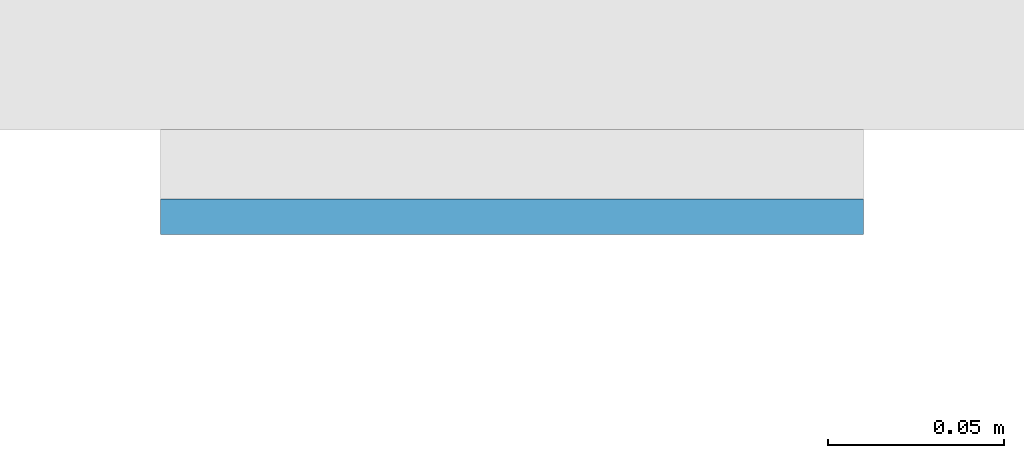
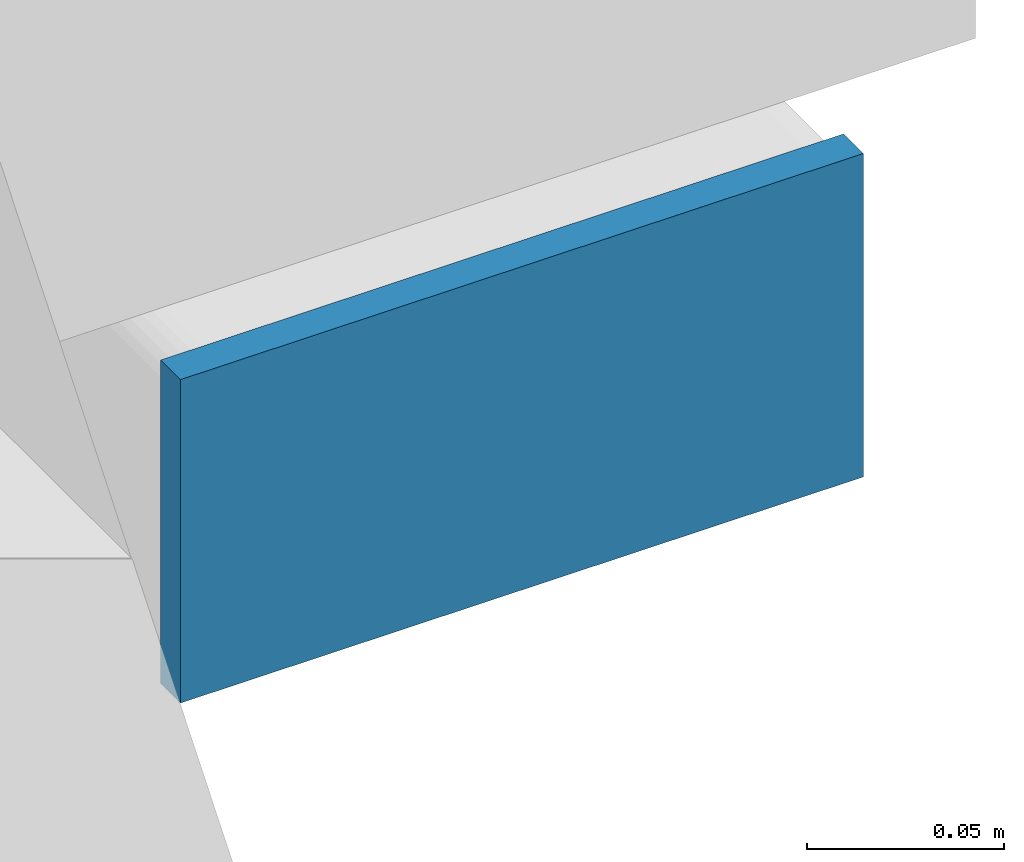
# One storey, part 5 of 12: 1 plate.
"""IFC4 building model written with IfcOpenShell, lengths in metres."""

import ifcopenshell
import ifcopenshell.guid

model = None  # the IFC model being written
_history = None  # IfcOwnerHistory: only IFC2X3 demands one
_inside = {}  # id of a spatial element -> (the spatial element, [elements in it])
_under = {}  # id of a project, library or spatial element -> (it, [spatial elements below it])
_declared = {}  # id of a project -> (the project, [libraries it declares])
_typed = {}  # id of a type object -> (the type object, [elements of that type])
_made_of = {}  # id of a material, layer set ... -> (it, [elements and type objects made of it])


def new_model(schema):
    """Start an empty IFC model of exactly this schema.

    Asked for "IFC4X3", IfcOpenShell would pick the latest addendum, in which some entities
    have other attributes; the version numbers below select the first issue.
    IFC2X3 requires an IfcOwnerHistory on every rooted entity: one is made here for all.
    """
    global model, _history
    if schema == "IFC4X3":
        model = ifcopenshell.file(schema_version=(4, 3, 0, 0))
    else:
        model = ifcopenshell.file(schema=schema)
    _inside.clear()
    _under.clear()
    _declared.clear()
    _typed.clear()
    _made_of.clear()
    _history = None
    if model.schema == "IFC2X3":
        org = make("IfcOrganization", Name="unknown")
        user = make(
            "IfcPersonAndOrganization",
            ThePerson=make("IfcPerson", FamilyName="unknown"),
            TheOrganization=org,
        )
        app = make(
            "IfcApplication",
            ApplicationDeveloper=org,
            Version="unknown",
            ApplicationFullName="unknown",
            ApplicationIdentifier="unknown",
        )
        _history = make(
            "IfcOwnerHistory",
            OwningUser=user,
            OwningApplication=app,
            ChangeAction="ADDED",
            CreationDate=0,
        )
    return model


def make(cls, **values):
    """One entity of the class cls with the attributes given. An attribute that is None is left unset."""
    return model.create_entity(
        cls, **{name: value for name, value in values.items() if value is not None}
    )


def rooted(cls, **values):
    """An entity with a GlobalId (a new one), such as an element, a storey or a relation."""
    return make(cls, GlobalId=ifcopenshell.guid.new(), OwnerHistory=_history, **values)


def si_unit(unit_type, name, prefix=None):
    """IfcSIUnit, for example si_unit("LENGTHUNIT", "METRE", prefix="MILLI")."""
    return make("IfcSIUnit", UnitType=unit_type, Prefix=prefix, Name=name)


def assignment(units):
    """IfcUnitAssignment: the units of a project."""
    return None if units is None else make("IfcUnitAssignment", Units=units)


def point(xyz):
    """IfcCartesianPoint."""
    return None if xyz is None else make("IfcCartesianPoint", Coordinates=xyz)


def direction(xyz):
    """IfcDirection."""
    return None if xyz is None else make("IfcDirection", DirectionRatios=xyz)


def frame(location, z_axis=None, x_axis=None):
    """IfcAxis2Placement3D, a coordinate frame: its origin and axes. An axis left out is left unset."""
    return make(
        "IfcAxis2Placement3D",
        Location=point(location),
        Axis=direction(z_axis),
        RefDirection=direction(x_axis),
    )


def frame_2d(location, x_axis=None):
    """IfcAxis2Placement2D, a coordinate frame in the plane: its origin and x axis."""
    return make(
        "IfcAxis2Placement2D", Location=point(location), RefDirection=direction(x_axis)
    )


def origin():
    """The frame at (0, 0, 0) with its axes left unset."""
    return frame((0.0, 0.0, 0.0))


def origin_2d():
    """The frame at (0, 0) in the plane with its x axis left unset."""
    return frame_2d((0.0, 0.0))


def place(relative_to, where):
    """IfcLocalPlacement: puts the frame where relative to a parent placement (None: the world)."""
    return make(
        "IfcLocalPlacement", PlacementRelTo=relative_to, RelativePlacement=where
    )


def context(
    kind, dimensions, precision=None, world=None, true_north=None, identifier=None
):
    """IfcGeometricRepresentationContext, for example the 3D "Model" context."""
    return make(
        "IfcGeometricRepresentationContext",
        ContextIdentifier=identifier,
        ContextType=kind,
        CoordinateSpaceDimension=dimensions,
        Precision=precision,
        WorldCoordinateSystem=world,
        TrueNorth=true_north,
    )


def subcontext(parent, identifier, kind, view, scale=None):
    """IfcGeometricRepresentationSubContext, for example "Body" below "Model"."""
    return make(
        "IfcGeometricRepresentationSubContext",
        ContextIdentifier=identifier,
        ContextType=kind,
        ParentContext=parent,
        TargetScale=scale,
        TargetView=view,
    )


def project(units=None, contexts=None):
    """IfcProject with its units and contexts."""
    return rooted(
        "IfcProject",
        Name="project",
        RepresentationContexts=contexts,
        UnitsInContext=assignment(units),
    )


def spatial(cls, under=None, at=None, **own):
    """A site, building, storey or space (cls), placed at a placement, below another one or the project."""
    s = rooted(cls, ObjectPlacement=at, **own)
    if under is not None:
        _under.setdefault(under.id(), (under, []))[1].append(s)
    return s


def profile(cls, at=None, kind="AREA", **sizes):
    """A parametric profile (cls). Its sizes go by their IFC names, for example OverallWidth=200.0."""
    return make(cls, ProfileType=kind, Position=at, **sizes)


def rectangle(**sizes):
    """IfcRectangleProfileDef."""
    return profile("IfcRectangleProfileDef", **sizes)


def extrude(swept, where, along, depth):
    """IfcExtrudedAreaSolid: the profile swept, set in the frame where, extruded along a direction by depth."""
    return make(
        "IfcExtrudedAreaSolid",
        SweptArea=swept,
        Position=where,
        ExtrudedDirection=direction(along),
        Depth=depth,
    )


def shape(context_of_items, identifier, shape_type, items):
    """IfcShapeRepresentation: the items that make up one representation, for example the "Body"."""
    return make(
        "IfcShapeRepresentation",
        ContextOfItems=context_of_items,
        RepresentationIdentifier=identifier,
        RepresentationType=shape_type,
        Items=items,
    )


def material(Name=None, Category=None):
    """IfcMaterial."""
    return make("IfcMaterial", Name=Name, Category=Category)


def layer(
    of_material, thickness, ventilated=None, Name=None, Category=None, Priority=None
):
    """IfcMaterialLayer: one layer of a wall or slab, of a material (None: an air gap)."""
    return make(
        "IfcMaterialLayer",
        Material=of_material,
        LayerThickness=thickness,
        IsVentilated=ventilated,
        Name=Name,
        Category=Category,
        Priority=Priority,
    )


def layer_set(layers, Name=None):
    """IfcMaterialLayerSet."""
    return make("IfcMaterialLayerSet", MaterialLayers=layers, LayerSetName=Name)


def made_of(thing, what):
    """Note that an element or type object is made of a material, layer set ...; save() writes the relation."""
    if what is not None:
        _made_of.setdefault(what.id(), (what, []))[1].append(thing)
    return thing


def type_object(cls, material=None, **own):
    """A type object (cls), such as IfcWallType, which elements share."""
    return made_of(rooted(cls, **own), material)


def element(
    cls,
    number,
    at=None,
    inside=None,
    cuts=None,
    type_object=None,
    material=None,
    context=None,
    identifier="Body",
    shape_type=None,
    held_by="IfcProductDefinitionShape",
    body=None,
    shapes=None,
    **own,
):
    """One element of the class cls, such as IfcWall. Its Tag is "e" and its number.

    at: its placement. inside: the storey or other place that contains it. cuts: it is an
    opening in that element (IfcRelVoidsElement). A single representation is given by context,
    identifier, shape_type and body (its items); several are given by shapes. held_by: the class
    of the entity that holds the representations. save() writes the other relations.
    """
    e = rooted(cls, Tag="e%d" % number, ObjectPlacement=at, **own)
    if body is not None:
        shapes = [shape(context, identifier, shape_type, body)]
    if shapes is not None:
        e.Representation = make(held_by, Representations=shapes)
    if inside is not None:
        _inside.setdefault(inside.id(), (inside, []))[1].append(e)
    if cuts is not None:
        rooted(
            "IfcRelVoidsElement", RelatingBuildingElement=cuts, RelatedOpeningElement=e
        )
    if type_object is not None:
        _typed.setdefault(type_object.id(), (type_object, []))[1].append(e)
    return made_of(e, material)


def aggregate(whole, parts):
    """IfcRelAggregates: a whole, such as a stair, and the parts it consists of."""
    return rooted("IfcRelAggregates", RelatingObject=whole, RelatedObjects=parts)


def save(model, path):
    """Write the relations noted so far, then the file.

    IfcRelAggregates (storeys below a building ...), IfcRelContainedInSpatialStructure (elements
    in a storey), IfcRelDefinesByType, IfcRelAssociatesMaterial and IfcRelDeclares: one each for
    every whole, place, type object, material and project.
    """
    for whole, parts in _under.values():
        aggregate(whole, parts)
    for where, things in _inside.values():
        rooted(
            "IfcRelContainedInSpatialStructure",
            RelatedElements=things,
            RelatingStructure=where,
        )
    for kind, things in _typed.values():
        rooted("IfcRelDefinesByType", RelatedObjects=things, RelatingType=kind)
    for what, things in _made_of.values():
        rooted("IfcRelAssociatesMaterial", RelatedObjects=things, RelatingMaterial=what)
    for by, libraries in _declared.values():
        rooted("IfcRelDeclares", RelatingContext=by, RelatedDefinitions=libraries)
    model.write(path)


model = new_model("IFC4")

# Units and contexts
model_context = context("Model", 3, precision=1e-05, world=origin(), true_north=direction((0.0, 1.0)))
body_context = subcontext(model_context, "Body", "Model", "MODEL_VIEW")
ifc_project = project(units=[si_unit("LENGTHUNIT", "METRE"), si_unit("AREAUNIT", "SQUARE_METRE"), si_unit("VOLUMEUNIT", "CUBIC_METRE"), si_unit("PLANEANGLEUNIT", "RADIAN"), si_unit("MASSUNIT", "GRAM", prefix="KILO")], contexts=[model_context])

# Site, building, storey
site_placement = place(None, origin())
site = spatial("IfcSite", under=ifc_project, at=site_placement, CompositionType="ELEMENT")
building_placement = place(site_placement, origin())
building = spatial("IfcBuilding", under=site, at=building_placement, Name="Cleftline Residences", CompositionType="ELEMENT")
storey_placement = place(building_placement, frame((0.0, 0.0, 262.800048828125)))
storey = spatial("IfcBuildingStorey", under=building, at=storey_placement, Name="L69", CompositionType="ELEMENT", Elevation=262.800048828125)

# Plate
ifc_material = material(Name="Steel S355, hot-dip galvanised", Category="steel")
ifc_layer = layer(ifc_material, 0.010009765625)
ifc_layer_set = layer_set([ifc_layer], Name="BAGUETTE CARRIER END PLATE 200X100X10")
plate_type = type_object("IfcPlateType", Name="BAGUETTE CARRIER END PLATE 200X100X10", PredefinedType="USERDEFINED", material=ifc_layer_set)
plate_placement = place(storey_placement, frame((66.85009765625, 3.695068359375, -0.10009765625), z_axis=(0.0, 0.0, 1.0), x_axis=(1.0, 0.0, 0.0)))
element("IfcPlate", 1, at=plate_placement, inside=storey, type_object=plate_type, Name="Baguette carrier end plate", ObjectType="BAGUETTE CARRIER END PLATE", PredefinedType="USERDEFINED", context=body_context, shape_type="SweptSolid", body=[
    extrude(rectangle(XDim=0.199951171875, YDim=0.010009765625, at=origin_2d()), origin(), (0.0, 0.0, 1.0), 0.10009765625),
])

save(model, "model.ifc")
